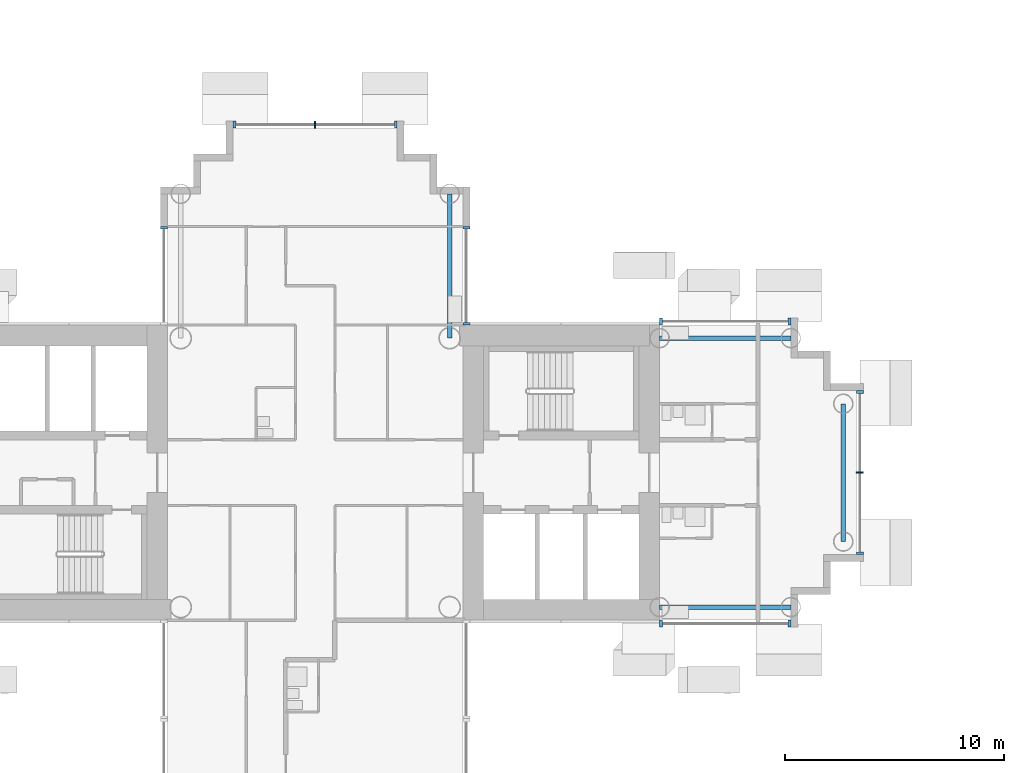
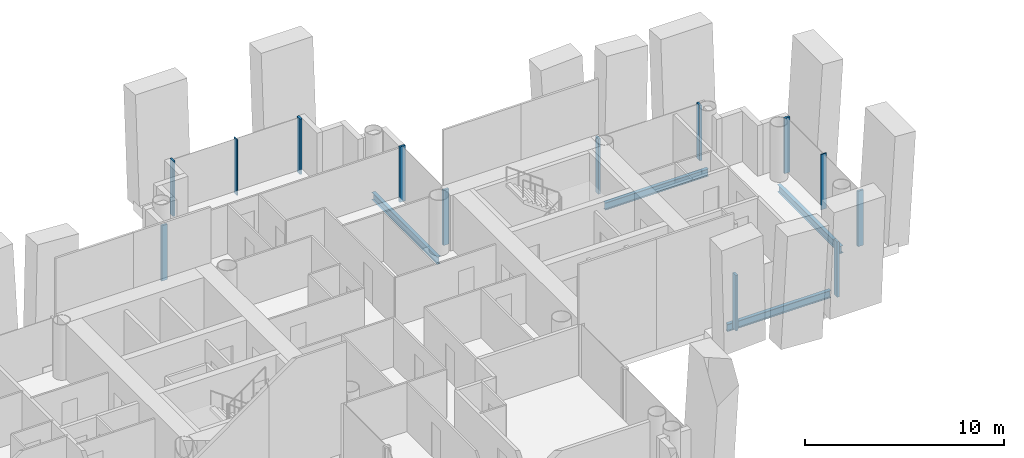
# One storey, part 4 of 21: 13 members, 4 beams, 6 elements without a shape of their own.
"""IFC4 building model written with IfcOpenShell, lengths in metres."""

from ifc_helpers import new_model, si_unit, direction, frame, origin, origin_2d, place, context, subcontext, project, spatial, rectangle, i_section, extrude, material, layer, layer_set, material_profile, profile_set, type_object, element, aggregate, save


model = new_model("IFC4")

# Units and contexts
model_context = context("Model", 3, precision=1e-05, world=origin(), true_north=direction((0.0, 1.0)))
body_context = subcontext(model_context, "Body", "Model", "MODEL_VIEW")
ifc_project = project(units=[si_unit("LENGTHUNIT", "METRE"), si_unit("AREAUNIT", "SQUARE_METRE"), si_unit("VOLUMEUNIT", "CUBIC_METRE"), si_unit("PLANEANGLEUNIT", "RADIAN"), si_unit("MASSUNIT", "GRAM", prefix="KILO")], contexts=[model_context])

# Site, building, storey
site_placement = place(None, origin())
site = spatial("IfcSite", under=ifc_project, at=site_placement, CompositionType="ELEMENT")
building_placement = place(site_placement, origin())
building = spatial("IfcBuilding", under=site, at=building_placement, Name="Ipe Terrace Towers", CompositionType="ELEMENT")
storey_placement = place(building_placement, frame((0.0, 0.0, 114.0)))
storey = spatial("IfcBuildingStorey", under=building, at=storey_placement, Name="L31", CompositionType="ELEMENT", Elevation=114.0)

# Beams
ifc_material_1 = material(Name="Steel S355", Category="steel")
ifc_material_profile_1 = material_profile(ifc_material_1, i_section(OverallWidth=0.199951171875, OverallDepth=0.449951171875, WebThickness=0.009033203125, FlangeThickness=0.013916015625, at=origin_2d()), Name="H-450x200x9x14")
ifc_profile_set_1 = profile_set([ifc_material_profile_1], Name="Steel S355")
beam_type = type_object("IfcBeamType", Name="H08 EDGE BEAM H-450x200x9x14", PredefinedType="BEAM", material=ifc_profile_set_1)
for number, where, z_axis, x_axis, name in (
    (1, (-20.25, -6.14990234375, -0.625), (1.0, 0.0, 0.0), (0.0, 1.0, 0.0), "Edge beam T1-EB-A01-A03"),
    (2, (-20.25, 6.14990234375, -0.625), (1.0, 0.0, 0.0), (0.0, 1.0, 0.0), "Edge beam T1-EB-A02-A04"),
):
    element("IfcBeam", number, at=place(storey_placement, frame(where, z_axis=z_axis, x_axis=x_axis)), inside=storey, type_object=beam_type, Name=name, PredefinedType="BEAM", context=body_context, shape_type="SweptSolid", body=[
        extrude(i_section(OverallWidth=0.199951171875, OverallDepth=0.449951171875, WebThickness=0.009033203125, FlangeThickness=0.013916015625, at=origin_2d()), origin(), (0.0, 0.0, 1.0), 6.0),
    ])
beam_1_placement = place(storey_placement, frame((-11.85009765625, -3.14990234375, -0.625), z_axis=(0.0, 1.0, 0.0), x_axis=(-1.0, 0.0, 0.0)))
element("IfcBeam", 3, at=beam_1_placement, inside=storey, type_object=beam_type, Name="Edge beam T1-EB-A05-A06", PredefinedType="BEAM", context=body_context, shape_type="SweptSolid", body=[
    extrude(i_section(OverallWidth=0.199951171875, OverallDepth=0.449951171875, WebThickness=0.009033203125, FlangeThickness=0.013916015625, at=origin_2d()), origin(), (0.0, 0.0, 1.0), 6.2998046875),
])
beam_2_placement = place(storey_placement, frame((-29.85009765625, 12.75, -0.625), z_axis=(0.0, -1.0, 0.0), x_axis=(1.0, 0.0, 0.0)))
element("IfcBeam", 4, at=beam_2_placement, inside=storey, type_object=beam_type, Name="Edge beam T1-EB-B01-E03", PredefinedType="BEAM", context=body_context, shape_type="SweptSolid", body=[
    extrude(i_section(OverallWidth=0.199951171875, OverallDepth=0.449951171875, WebThickness=0.009033203125, FlangeThickness=0.013916015625, at=origin_2d()), origin(), (0.0, 0.0, 1.0), 6.60009765625),
])

# Curtain wall, members
ifc_material_2 = material(Name="Aluminium alloy 6063-T6", Category="aluminium")
ifc_layer = layer(ifc_material_2, 0.320068359375)
ifc_layer_set = layer_set([ifc_layer], Name="TOWER UNITISED CURTAIN WALL")
curtain_wall_type = type_object("IfcCurtainWallType", Name="TOWER UNITISED CURTAIN WALL", PredefinedType="NOTDEFINED", material=ifc_layer_set)
curtain_wall_1_placement = place(storey_placement, origin())
curtain_wall_1 = element("IfcCurtainWall", 5, at=curtain_wall_1_placement, inside=storey, type_object=curtain_wall_type, Name="T1-CW-L31-20b curtain wall", PredefinedType="NOTDEFINED")
ifc_material_3 = material(Name="Aluminium alloy 6063-T6", Category="aluminium")
ifc_material_profile_2 = material_profile(ifc_material_3, rectangle(XDim=0.320068359375, YDim=0.1201171875, at=origin_2d()), Name="TOWER UNITISED CORNER MULLION 320 x 120")
ifc_profile_set_2 = profile_set([ifc_material_profile_2], Name="Aluminium alloy 6063-T6")
member_type_1 = type_object("IfcMemberType", Name="TOWER UNITISED CORNER MULLION 320 x 120", PredefinedType="MULLION", material=ifc_profile_set_2)
member_1_placement = place(storey_placement, frame((-20.18896484375, -6.909912109375, -0.300048828125), z_axis=(0.0, 0.0, 1.0), x_axis=(0.0, -1.0, 0.0)))
member_1 = element("IfcMember", 6, at=member_1_placement, type_object=member_type_1, Name="T1-CW-L31-20b mullion 1", PredefinedType="MULLION", context=body_context, shape_type="SweptSolid", body=[
    extrude(rectangle(XDim=0.320068359375, YDim=0.1201171875, at=origin_2d()), origin(), (0.0, 0.0, 1.0), 3.400146484375),
])
member_2_placement = place(storey_placement, frame((-14.31005859375, -6.909912109375, -0.300048828125), z_axis=(0.0, 0.0, 1.0), x_axis=(0.0, -1.0, 0.0)))
member_2 = element("IfcMember", 7, at=member_2_placement, type_object=member_type_1, Name="T1-CW-L31-20b mullion 2", PredefinedType="MULLION", context=body_context, shape_type="SweptSolid", body=[
    extrude(rectangle(XDim=0.320068359375, YDim=0.1201171875, at=origin_2d()), origin(), (0.0, 0.0, 1.0), 3.400146484375),
])
aggregate(curtain_wall_1, [member_1, member_2])

curtain_wall_2_placement = place(storey_placement, origin())
curtain_wall_2 = element("IfcCurtainWall", 8, at=curtain_wall_2_placement, inside=storey, type_object=curtain_wall_type, Name="T1-CW-L31-25a curtain wall", PredefinedType="NOTDEFINED")
member_3_placement = place(storey_placement, frame((-11.090087890625, -3.68994140625, -0.300048828125), z_axis=(0.0, 0.0, 1.0), x_axis=(1.0, 0.0, 0.0)))
member_3 = element("IfcMember", 9, at=member_3_placement, type_object=member_type_1, Name="T1-CW-L31-25a mullion 1", PredefinedType="MULLION", context=body_context, shape_type="SweptSolid", body=[
    extrude(rectangle(XDim=0.320068359375, YDim=0.1201171875, at=origin_2d()), origin(), (0.0, 0.0, 1.0), 3.400146484375),
])
member_4_placement = place(storey_placement, frame((-11.090087890625, 3.68994140625, -0.300048828125), z_axis=(0.0, 0.0, 1.0), x_axis=(1.0, 0.0, 0.0)))
member_4 = element("IfcMember", 10, at=member_4_placement, type_object=member_type_1, Name="T1-CW-L31-25a mullion 3", PredefinedType="MULLION", context=body_context, shape_type="SweptSolid", body=[
    extrude(rectangle(XDim=0.320068359375, YDim=0.1201171875, at=origin_2d()), origin(), (0.0, 0.0, 1.0), 3.400146484375),
])

curtain_wall_3_placement = place(storey_placement, origin())
curtain_wall_3 = element("IfcCurtainWall", 11, at=curtain_wall_3_placement, inside=storey, type_object=curtain_wall_type, Name="T1-CW-L31-30a curtain wall", PredefinedType="NOTDEFINED")
member_5_placement = place(storey_placement, frame((-14.31005859375, 6.909912109375, -0.300048828125), z_axis=(0.0, 0.0, 1.0), x_axis=(0.0, 1.0, 0.0)))
member_5 = element("IfcMember", 12, at=member_5_placement, type_object=member_type_1, Name="T1-CW-L31-30a mullion 1", PredefinedType="MULLION", context=body_context, shape_type="SweptSolid", body=[
    extrude(rectangle(XDim=0.320068359375, YDim=0.1201171875, at=origin_2d()), origin(), (0.0, 0.0, 1.0), 3.400146484375),
])
member_6_placement = place(storey_placement, frame((-20.18896484375, 6.909912109375, -0.300048828125), z_axis=(0.0, 0.0, 1.0), x_axis=(0.0, 1.0, 0.0)))
member_6 = element("IfcMember", 13, at=member_6_placement, type_object=member_type_1, Name="T1-CW-L31-30a mullion 2", PredefinedType="MULLION", context=body_context, shape_type="SweptSolid", body=[
    extrude(rectangle(XDim=0.320068359375, YDim=0.1201171875, at=origin_2d()), origin(), (0.0, 0.0, 1.0), 3.400146484375),
])
aggregate(curtain_wall_3, [member_5, member_6])

curtain_wall_4_placement = place(storey_placement, origin())
curtain_wall_4 = element("IfcCurtainWall", 14, at=curtain_wall_4_placement, inside=storey, type_object=curtain_wall_type, Name="T1-CW-L31-32a curtain wall", PredefinedType="NOTDEFINED")
member_7_placement = place(storey_placement, frame((-29.090087890625, 6.81005859375, -0.300048828125), z_axis=(0.0, 0.0, 1.0), x_axis=(1.0, 0.0, 0.0)))
member_7 = element("IfcMember", 15, at=member_7_placement, type_object=member_type_1, Name="T1-CW-L31-32a mullion 1", PredefinedType="MULLION", context=body_context, shape_type="SweptSolid", body=[
    extrude(rectangle(XDim=0.320068359375, YDim=0.1201171875, at=origin_2d()), origin(), (0.0, 0.0, 1.0), 3.400146484375),
])
member_8_placement = place(storey_placement, frame((-29.090087890625, 11.18994140625, -0.300048828125), z_axis=(0.0, 0.0, 1.0), x_axis=(1.0, 0.0, 0.0)))
member_8 = element("IfcMember", 16, at=member_8_placement, type_object=member_type_1, Name="T1-CW-L31-32a mullion 2", PredefinedType="MULLION", context=body_context, shape_type="SweptSolid", body=[
    extrude(rectangle(XDim=0.320068359375, YDim=0.1201171875, at=origin_2d()), origin(), (0.0, 0.0, 1.0), 3.400146484375),
])
aggregate(curtain_wall_4, [member_7, member_8])

curtain_wall_5_placement = place(storey_placement, origin())
curtain_wall_5 = element("IfcCurtainWall", 17, at=curtain_wall_5_placement, inside=storey, type_object=curtain_wall_type, Name="T1-CW-L31-38a curtain wall", PredefinedType="NOTDEFINED")
member_9_placement = place(storey_placement, frame((-32.31005859375, 15.909912109375, -0.300048828125), z_axis=(0.0, 0.0, 1.0), x_axis=(0.0, 1.0, 0.0)))
member_9 = element("IfcMember", 18, at=member_9_placement, type_object=member_type_1, Name="T1-CW-L31-38a mullion 1", PredefinedType="MULLION", context=body_context, shape_type="SweptSolid", body=[
    extrude(rectangle(XDim=0.320068359375, YDim=0.1201171875, at=origin_2d()), origin(), (0.0, 0.0, 1.0), 3.400146484375),
])
member_10_placement = place(storey_placement, frame((-39.68994140625, 15.909912109375, -0.300048828125), z_axis=(0.0, 0.0, 1.0), x_axis=(0.0, 1.0, 0.0)))
member_10 = element("IfcMember", 19, at=member_10_placement, type_object=member_type_1, Name="T1-CW-L31-38a mullion 3", PredefinedType="MULLION", context=body_context, shape_type="SweptSolid", body=[
    extrude(rectangle(XDim=0.320068359375, YDim=0.1201171875, at=origin_2d()), origin(), (0.0, 0.0, 1.0), 3.400146484375),
])

# Curtain wall, member
curtain_wall_6_placement = place(storey_placement, origin())
curtain_wall_6 = element("IfcCurtainWall", 20, at=curtain_wall_6_placement, inside=storey, type_object=curtain_wall_type, Name="T1-CW-L31-44a curtain wall", PredefinedType="NOTDEFINED")
member_11_placement = place(storey_placement, frame((-42.909912109375, 11.18994140625, -0.300048828125), z_axis=(0.0, 0.0, 1.0), x_axis=(-1.0, 0.0, 0.0)))
member_11 = element("IfcMember", 21, at=member_11_placement, type_object=member_type_1, Name="T1-CW-L31-44a mullion 1", PredefinedType="MULLION", context=body_context, shape_type="SweptSolid", body=[
    extrude(rectangle(XDim=0.320068359375, YDim=0.1201171875, at=origin_2d()), origin(), (0.0, 0.0, 1.0), 3.400146484375),
])
aggregate(curtain_wall_6, [member_11])

# Member
ifc_material_4 = material(Name="Aluminium alloy 6063-T6", Category="aluminium")
ifc_material_profile_3 = material_profile(ifc_material_4, rectangle(XDim=0.320068359375, YDim=0.06494140625, at=origin_2d()), Name="TOWER UNITISED MULLION 320 x 65")
ifc_profile_set_3 = profile_set([ifc_material_profile_3], Name="Aluminium alloy 6063-T6")
member_type_2 = type_object("IfcMemberType", Name="TOWER UNITISED MULLION 320 x 65", PredefinedType="MULLION", material=ifc_profile_set_3)
member_12_placement = place(storey_placement, frame((-11.090087890625, 0.0, -0.300048828125), z_axis=(0.0, 0.0, 1.0), x_axis=(1.0, 0.0, 0.0)))
member_12 = element("IfcMember", 22, at=member_12_placement, type_object=member_type_2, Name="T1-CW-L31-25a mullion 2", PredefinedType="MULLION", context=body_context, shape_type="SweptSolid", body=[
    extrude(rectangle(XDim=0.320068359375, YDim=0.06494140625, at=origin_2d()), origin(), (0.0, 0.0, 1.0), 3.400146484375),
])

aggregate(curtain_wall_2, [member_3, member_12, member_4])

member_13_placement = place(storey_placement, frame((-36.0, 15.909912109375, -0.300048828125), z_axis=(0.0, 0.0, 1.0), x_axis=(0.0, 1.0, 0.0)))
member_13 = element("IfcMember", 23, at=member_13_placement, type_object=member_type_2, Name="T1-CW-L31-38a mullion 2", PredefinedType="MULLION", context=body_context, shape_type="SweptSolid", body=[
    extrude(rectangle(XDim=0.320068359375, YDim=0.06494140625, at=origin_2d()), origin(), (0.0, 0.0, 1.0), 3.400146484375),
])

aggregate(curtain_wall_5, [member_9, member_13, member_10])

save(model, "model.ifc")
